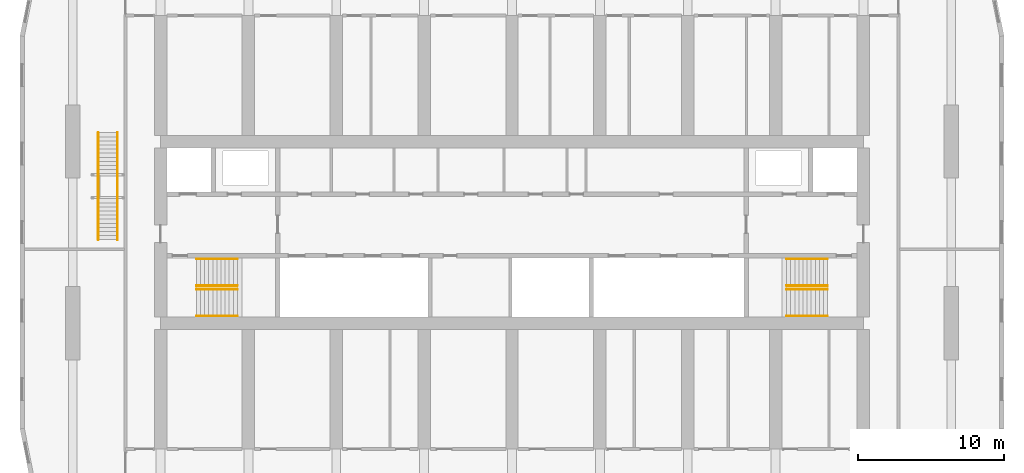
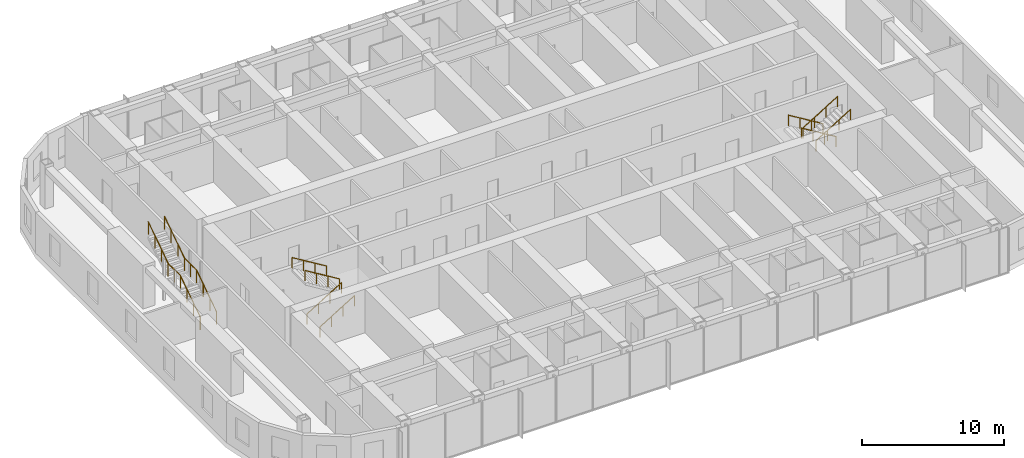
# One storey, part 27 of 27: 10 railings.
"""IFC4 building model written with IfcOpenShell, lengths in metres."""

from ifc_helpers import new_model, si_unit, direction, frame, origin, origin_2d, place, context, subcontext, project, spatial, circle, extrude, material, type_object, element, save


model = new_model("IFC4")

# Units and contexts
model_context = context("Model", 3, precision=1e-05, world=origin(), true_north=direction((0.0, 1.0)))
body_context = subcontext(model_context, "Body", "Model", "MODEL_VIEW")
ifc_project = project(units=[si_unit("LENGTHUNIT", "METRE"), si_unit("AREAUNIT", "SQUARE_METRE"), si_unit("VOLUMEUNIT", "CUBIC_METRE"), si_unit("PLANEANGLEUNIT", "RADIAN"), si_unit("MASSUNIT", "GRAM", prefix="KILO")], contexts=[model_context])

# Site, building, storey
site_placement = place(None, origin())
site = spatial("IfcSite", under=ifc_project, at=site_placement, CompositionType="ELEMENT")
building_placement = place(site_placement, origin())
building = spatial("IfcBuilding", under=site, at=building_placement, Name="Orbita Commons", CompositionType="ELEMENT")
storey_placement = place(building_placement, frame((0.0, 0.0, 178.60009765625)))
storey = spatial("IfcBuildingStorey", under=building, at=storey_placement, Name="L44", CompositionType="ELEMENT", Elevation=178.60009765625)

# Railings
ifc_material_1 = material(Name="Laminated glass, steel handrail", Category="steel")
railing_type_1 = type_object("IfcRailingType", Name="Feature stair balustrade, glass on steel stringer 1100", PredefinedType="BALUSTRADE", material=ifc_material_1)
for number, where, name in (
    (1, (13.739990234375, 31.5, 0.0), "Neighbourhood stair L44 to L45 balustrade L"),
    (2, (15.06005859375, 31.5, 0.0), "Neighbourhood stair L44 to L45 balustrade R"),
):
    element("IfcRailing", number, at=place(storey_placement, frame(where)), inside=storey, type_object=railing_type_1, Name=name, PredefinedType="BALUSTRADE", context=body_context, shape_type="SweptSolid", body=[
        extrude(circle(Radius=0.02490234375, at=origin_2d()), frame((0.0, 0.0, 1.0751953125), z_axis=(0.0, 0.830911662861, 0.55640435703), x_axis=(-1.0, 0.0, 0.0)), (0.0, 0.0, 1.0), 3.369873046875),
        extrude(circle(Radius=0.02490234375, at=origin_2d()), frame((0.0, 2.800048828125, 2.9501953125), z_axis=(0.0, 1.0, 0.0), x_axis=(-1.0, 0.0, 0.0)), (0.0, 0.0, 1.0), 1.7099609375),
        extrude(circle(Radius=0.02490234375, at=origin_2d()), frame((0.0, 4.510009765625, 2.9501953125), z_axis=(0.0, 0.830911662861, 0.55640435703), x_axis=(-1.0, 0.0, 0.0)), (0.0, 0.0, 1.0), 3.369873046875),
        extrude(circle(Radius=0.02001953125, at=origin_2d()), origin(), (0.0, 0.0, 1.0), 1.050048828125),
        extrude(circle(Radius=0.02001953125, at=origin_2d()), frame((0.0, 0.933349609375, 0.625)), (0.0, 0.0, 1.0), 1.050048828125),
        extrude(circle(Radius=0.02001953125, at=origin_2d()), frame((0.0, 1.86669921875, 1.25)), (0.0, 0.0, 1.0), 1.050048828125),
        extrude(circle(Radius=0.02001953125, at=origin_2d()), frame((0.0, 2.800048828125, 1.875)), (0.0, 0.0, 1.0), 1.050048828125),
        extrude(circle(Radius=0.02001953125, at=origin_2d()), frame((0.0, 3.655029296875, 1.875)), (0.0, 0.0, 1.0), 1.050048828125),
        extrude(circle(Radius=0.02001953125, at=origin_2d()), frame((0.0, 4.510009765625, 1.875)), (0.0, 0.0, 1.0), 1.050048828125),
        extrude(circle(Radius=0.02001953125, at=origin_2d()), frame((0.0, 5.443359375, 2.5)), (0.0, 0.0, 1.0), 1.050048828125),
        extrude(circle(Radius=0.02001953125, at=origin_2d()), frame((0.0, 6.376708984375, 3.125)), (0.0, 0.0, 1.0), 1.050048828125),
        extrude(circle(Radius=0.02001953125, at=origin_2d()), frame((0.0, 7.31005859375, 3.75)), (0.0, 0.0, 1.0), 1.050048828125),
    ])
ifc_material_2 = material(Name="Steel tube, painted", Category="steel")
railing_type_2 = type_object("IfcRailingType", Name="Stair handrail steel tube 900", PredefinedType="HANDRAIL", material=ifc_material_2)
for number, where, name in (
    (3, (20.449951171875, 28.114990234375, 0.17041015625), "Stair S1 handrail L44 flight 1"),
    (4, (20.449951171875, 26.284912109375, 0.17041015625), "Stair S1 handrail L44 flight 1"),
):
    element("IfcRailing", number, at=place(storey_placement, frame(where)), inside=storey, type_object=railing_type_2, Name=name, PredefinedType="HANDRAIL", context=body_context, shape_type="SweptSolid", body=[
        extrude(circle(Radius=0.02099609375, at=origin_2d()), frame((0.0, 0.0, 0.87890625), z_axis=(0.854169791009, 0.0, 0.51999420009), x_axis=(0.0, 1.0, 0.0)), (0.0, 0.0, 1.0), 3.278076171875),
        extrude(circle(Radius=0.02001953125, at=origin_2d()), origin(), (0.0, 0.0, 1.0), 0.85791015625),
        extrude(circle(Radius=0.02001953125, at=origin_2d()), frame((0.933349609375, 0.0, 0.568115234375)), (0.0, 0.0, 1.0), 0.85791015625),
        extrude(circle(Radius=0.02001953125, at=origin_2d()), frame((1.86669921875, 0.0, 1.136474609375)), (0.0, 0.0, 1.0), 0.85791015625),
        extrude(circle(Radius=0.02001953125, at=origin_2d()), frame((2.800048828125, 0.0, 1.70458984375)), (0.0, 0.0, 1.0), 0.85791015625),
    ])
for number, where, name in (
    (5, (23.25, 28.360107421875, 2.04541015625), "Stair S1 handrail L44 flight 2"),
    (6, (23.25, 30.18994140625, 2.04541015625), "Stair S1 handrail L44 flight 2"),
    (7, (63.550048828125, 28.360107421875, 0.17041015625), "Stair S2 handrail L44 flight 1"),
    (8, (63.550048828125, 30.18994140625, 0.17041015625), "Stair S2 handrail L44 flight 1"),
):
    element("IfcRailing", number, at=place(storey_placement, frame(where)), inside=storey, type_object=railing_type_2, Name=name, PredefinedType="HANDRAIL", context=body_context, shape_type="SweptSolid", body=[
        extrude(circle(Radius=0.02099609375, at=origin_2d()), frame((0.0, 0.0, 0.87890625), z_axis=(-0.854169791009, 0.0, 0.51999420009), x_axis=(0.0, -1.0, 0.0)), (0.0, 0.0, 1.0), 3.278076171875),
        extrude(circle(Radius=0.02001953125, at=origin_2d()), origin(), (0.0, 0.0, 1.0), 0.85791015625),
        extrude(circle(Radius=0.02001953125, at=origin_2d()), frame((-0.933349609375, 0.0, 0.568115234375)), (0.0, 0.0, 1.0), 0.85791015625),
        extrude(circle(Radius=0.02001953125, at=origin_2d()), frame((-1.86669921875, 0.0, 1.136474609375)), (0.0, 0.0, 1.0), 0.85791015625),
        extrude(circle(Radius=0.02001953125, at=origin_2d()), frame((-2.800048828125, 0.0, 1.70458984375)), (0.0, 0.0, 1.0), 0.85791015625),
    ])
for number, where, name in (
    (9, (60.75, 28.114990234375, 2.04541015625), "Stair S2 handrail L44 flight 2"),
    (10, (60.75, 26.284912109375, 2.04541015625), "Stair S2 handrail L44 flight 2"),
):
    element("IfcRailing", number, at=place(storey_placement, frame(where)), inside=storey, type_object=railing_type_2, Name=name, PredefinedType="HANDRAIL", context=body_context, shape_type="SweptSolid", body=[
        extrude(circle(Radius=0.02099609375, at=origin_2d()), frame((0.0, 0.0, 0.87890625), z_axis=(0.854169791009, 0.0, 0.51999420009), x_axis=(0.0, 1.0, 0.0)), (0.0, 0.0, 1.0), 3.278076171875),
        extrude(circle(Radius=0.02001953125, at=origin_2d()), origin(), (0.0, 0.0, 1.0), 0.85791015625),
        extrude(circle(Radius=0.02001953125, at=origin_2d()), frame((0.933349609375, 0.0, 0.568115234375)), (0.0, 0.0, 1.0), 0.85791015625),
        extrude(circle(Radius=0.02001953125, at=origin_2d()), frame((1.86669921875, 0.0, 1.136474609375)), (0.0, 0.0, 1.0), 0.85791015625),
        extrude(circle(Radius=0.02001953125, at=origin_2d()), frame((2.800048828125, 0.0, 1.70458984375)), (0.0, 0.0, 1.0), 0.85791015625),
    ])

save(model, "model.ifc")
